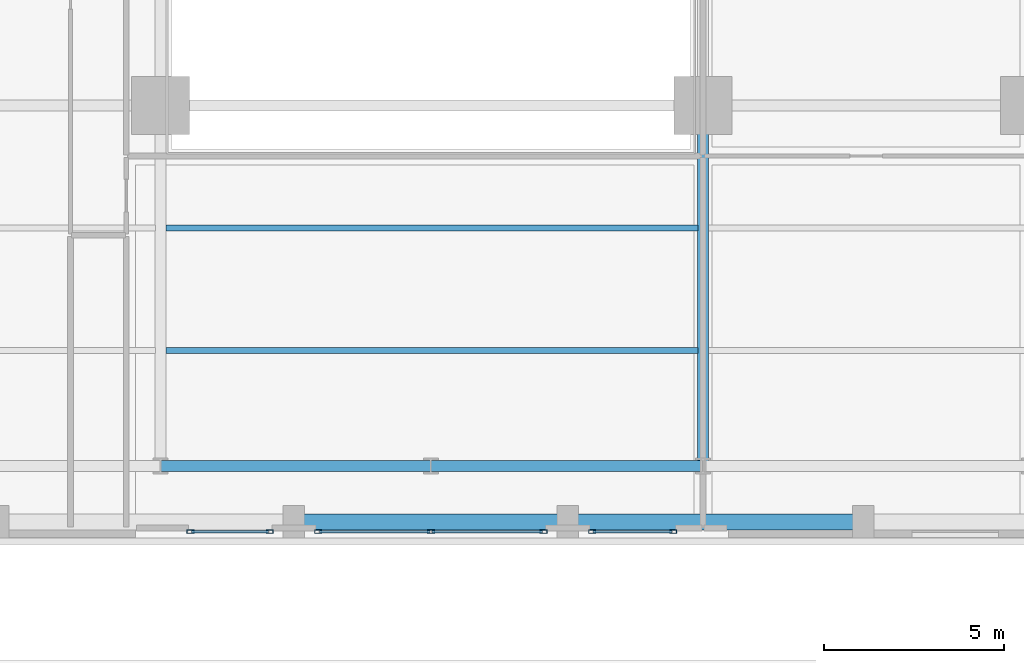
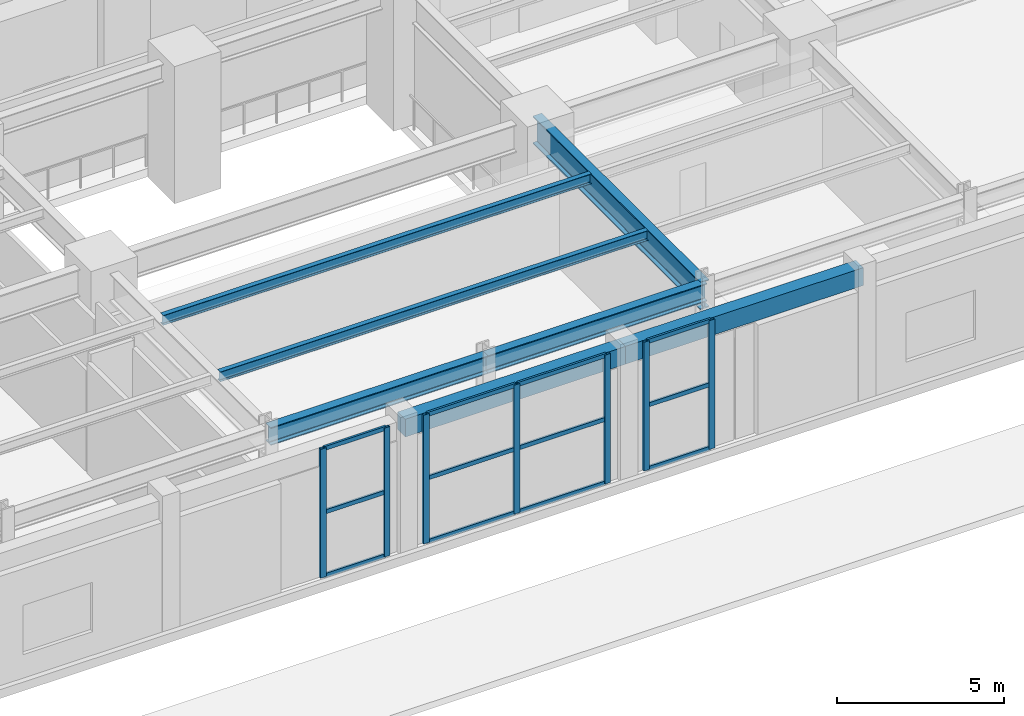
# One storey, part 2 of 12: 19 members, 7 beams, 3 elements without a shape of their own.
"""IFC4 building model written with IfcOpenShell, lengths in metres."""

import ifcopenshell
import ifcopenshell.guid

model = None  # the IFC model being written
_history = None  # IfcOwnerHistory: only IFC2X3 demands one
_inside = {}  # id of a spatial element -> (the spatial element, [elements in it])
_under = {}  # id of a project, library or spatial element -> (it, [spatial elements below it])
_declared = {}  # id of a project -> (the project, [libraries it declares])
_typed = {}  # id of a type object -> (the type object, [elements of that type])
_made_of = {}  # id of a material, layer set ... -> (it, [elements and type objects made of it])


def new_model(schema):
    """Start an empty IFC model of exactly this schema.

    Asked for "IFC4X3", IfcOpenShell would pick the latest addendum, in which some entities
    have other attributes; the version numbers below select the first issue.
    IFC2X3 requires an IfcOwnerHistory on every rooted entity: one is made here for all.
    """
    global model, _history
    if schema == "IFC4X3":
        model = ifcopenshell.file(schema_version=(4, 3, 0, 0))
    else:
        model = ifcopenshell.file(schema=schema)
    _inside.clear()
    _under.clear()
    _declared.clear()
    _typed.clear()
    _made_of.clear()
    _history = None
    if model.schema == "IFC2X3":
        org = make("IfcOrganization", Name="unknown")
        user = make(
            "IfcPersonAndOrganization",
            ThePerson=make("IfcPerson", FamilyName="unknown"),
            TheOrganization=org,
        )
        app = make(
            "IfcApplication",
            ApplicationDeveloper=org,
            Version="unknown",
            ApplicationFullName="unknown",
            ApplicationIdentifier="unknown",
        )
        _history = make(
            "IfcOwnerHistory",
            OwningUser=user,
            OwningApplication=app,
            ChangeAction="ADDED",
            CreationDate=0,
        )
    return model


def make(cls, **values):
    """One entity of the class cls with the attributes given. An attribute that is None is left unset."""
    return model.create_entity(
        cls, **{name: value for name, value in values.items() if value is not None}
    )


def rooted(cls, **values):
    """An entity with a GlobalId (a new one), such as an element, a storey or a relation."""
    return make(cls, GlobalId=ifcopenshell.guid.new(), OwnerHistory=_history, **values)


def si_unit(unit_type, name, prefix=None):
    """IfcSIUnit, for example si_unit("LENGTHUNIT", "METRE", prefix="MILLI")."""
    return make("IfcSIUnit", UnitType=unit_type, Prefix=prefix, Name=name)


def assignment(units):
    """IfcUnitAssignment: the units of a project."""
    return None if units is None else make("IfcUnitAssignment", Units=units)


def point(xyz):
    """IfcCartesianPoint."""
    return None if xyz is None else make("IfcCartesianPoint", Coordinates=xyz)


def direction(xyz):
    """IfcDirection."""
    return None if xyz is None else make("IfcDirection", DirectionRatios=xyz)


def frame(location, z_axis=None, x_axis=None):
    """IfcAxis2Placement3D, a coordinate frame: its origin and axes. An axis left out is left unset."""
    return make(
        "IfcAxis2Placement3D",
        Location=point(location),
        Axis=direction(z_axis),
        RefDirection=direction(x_axis),
    )


def frame_2d(location, x_axis=None):
    """IfcAxis2Placement2D, a coordinate frame in the plane: its origin and x axis."""
    return make(
        "IfcAxis2Placement2D", Location=point(location), RefDirection=direction(x_axis)
    )


def origin():
    """The frame at (0, 0, 0) with its axes left unset."""
    return frame((0.0, 0.0, 0.0))


def origin_2d():
    """The frame at (0, 0) in the plane with its x axis left unset."""
    return frame_2d((0.0, 0.0))


def place(relative_to, where):
    """IfcLocalPlacement: puts the frame where relative to a parent placement (None: the world)."""
    return make(
        "IfcLocalPlacement", PlacementRelTo=relative_to, RelativePlacement=where
    )


def context(
    kind, dimensions, precision=None, world=None, true_north=None, identifier=None
):
    """IfcGeometricRepresentationContext, for example the 3D "Model" context."""
    return make(
        "IfcGeometricRepresentationContext",
        ContextIdentifier=identifier,
        ContextType=kind,
        CoordinateSpaceDimension=dimensions,
        Precision=precision,
        WorldCoordinateSystem=world,
        TrueNorth=true_north,
    )


def subcontext(parent, identifier, kind, view, scale=None):
    """IfcGeometricRepresentationSubContext, for example "Body" below "Model"."""
    return make(
        "IfcGeometricRepresentationSubContext",
        ContextIdentifier=identifier,
        ContextType=kind,
        ParentContext=parent,
        TargetScale=scale,
        TargetView=view,
    )


def project(units=None, contexts=None):
    """IfcProject with its units and contexts."""
    return rooted(
        "IfcProject",
        Name="project",
        RepresentationContexts=contexts,
        UnitsInContext=assignment(units),
    )


def spatial(cls, under=None, at=None, **own):
    """A site, building, storey or space (cls), placed at a placement, below another one or the project."""
    s = rooted(cls, ObjectPlacement=at, **own)
    if under is not None:
        _under.setdefault(under.id(), (under, []))[1].append(s)
    return s


def profile(cls, at=None, kind="AREA", **sizes):
    """A parametric profile (cls). Its sizes go by their IFC names, for example OverallWidth=200.0."""
    return make(cls, ProfileType=kind, Position=at, **sizes)


def rectangle(**sizes):
    """IfcRectangleProfileDef."""
    return profile("IfcRectangleProfileDef", **sizes)


def hollow_rectangle(**sizes):
    """IfcRectangleHollowProfileDef."""
    return profile("IfcRectangleHollowProfileDef", **sizes)


def i_section(**sizes):
    """IfcIShapeProfileDef."""
    return profile("IfcIShapeProfileDef", **sizes)


def extrude(swept, where, along, depth):
    """IfcExtrudedAreaSolid: the profile swept, set in the frame where, extruded along a direction by depth."""
    return make(
        "IfcExtrudedAreaSolid",
        SweptArea=swept,
        Position=where,
        ExtrudedDirection=direction(along),
        Depth=depth,
    )


def shape(context_of_items, identifier, shape_type, items):
    """IfcShapeRepresentation: the items that make up one representation, for example the "Body"."""
    return make(
        "IfcShapeRepresentation",
        ContextOfItems=context_of_items,
        RepresentationIdentifier=identifier,
        RepresentationType=shape_type,
        Items=items,
    )


def material(Name=None, Category=None):
    """IfcMaterial."""
    return make("IfcMaterial", Name=Name, Category=Category)


def layer(
    of_material, thickness, ventilated=None, Name=None, Category=None, Priority=None
):
    """IfcMaterialLayer: one layer of a wall or slab, of a material (None: an air gap)."""
    return make(
        "IfcMaterialLayer",
        Material=of_material,
        LayerThickness=thickness,
        IsVentilated=ventilated,
        Name=Name,
        Category=Category,
        Priority=Priority,
    )


def layer_set(layers, Name=None):
    """IfcMaterialLayerSet."""
    return make("IfcMaterialLayerSet", MaterialLayers=layers, LayerSetName=Name)


def material_profile(
    of_material, cross_section, Name=None, Category=None, Priority=None
):
    """IfcMaterialProfile: a cross section and its material."""
    return make(
        "IfcMaterialProfile",
        Name=Name,
        Material=of_material,
        Profile=cross_section,
        Priority=Priority,
        Category=Category,
    )


def profile_set(profiles, Name=None, composite=None):
    """IfcMaterialProfileSet."""
    return make(
        "IfcMaterialProfileSet",
        Name=Name,
        MaterialProfiles=profiles,
        CompositeProfile=composite,
    )


def made_of(thing, what):
    """Note that an element or type object is made of a material, layer set ...; save() writes the relation."""
    if what is not None:
        _made_of.setdefault(what.id(), (what, []))[1].append(thing)
    return thing


def type_object(cls, material=None, **own):
    """A type object (cls), such as IfcWallType, which elements share."""
    return made_of(rooted(cls, **own), material)


def element(
    cls,
    number,
    at=None,
    inside=None,
    cuts=None,
    type_object=None,
    material=None,
    context=None,
    identifier="Body",
    shape_type=None,
    held_by="IfcProductDefinitionShape",
    body=None,
    shapes=None,
    **own,
):
    """One element of the class cls, such as IfcWall. Its Tag is "e" and its number.

    at: its placement. inside: the storey or other place that contains it. cuts: it is an
    opening in that element (IfcRelVoidsElement). A single representation is given by context,
    identifier, shape_type and body (its items); several are given by shapes. held_by: the class
    of the entity that holds the representations. save() writes the other relations.
    """
    e = rooted(cls, Tag="e%d" % number, ObjectPlacement=at, **own)
    if body is not None:
        shapes = [shape(context, identifier, shape_type, body)]
    if shapes is not None:
        e.Representation = make(held_by, Representations=shapes)
    if inside is not None:
        _inside.setdefault(inside.id(), (inside, []))[1].append(e)
    if cuts is not None:
        rooted(
            "IfcRelVoidsElement", RelatingBuildingElement=cuts, RelatedOpeningElement=e
        )
    if type_object is not None:
        _typed.setdefault(type_object.id(), (type_object, []))[1].append(e)
    return made_of(e, material)


def aggregate(whole, parts):
    """IfcRelAggregates: a whole, such as a stair, and the parts it consists of."""
    return rooted("IfcRelAggregates", RelatingObject=whole, RelatedObjects=parts)


def save(model, path):
    """Write the relations noted so far, then the file.

    IfcRelAggregates (storeys below a building ...), IfcRelContainedInSpatialStructure (elements
    in a storey), IfcRelDefinesByType, IfcRelAssociatesMaterial and IfcRelDeclares: one each for
    every whole, place, type object, material and project.
    """
    for whole, parts in _under.values():
        aggregate(whole, parts)
    for where, things in _inside.values():
        rooted(
            "IfcRelContainedInSpatialStructure",
            RelatedElements=things,
            RelatingStructure=where,
        )
    for kind, things in _typed.values():
        rooted("IfcRelDefinesByType", RelatedObjects=things, RelatingType=kind)
    for what, things in _made_of.values():
        rooted("IfcRelAssociatesMaterial", RelatedObjects=things, RelatingMaterial=what)
    for by, libraries in _declared.values():
        rooted("IfcRelDeclares", RelatingContext=by, RelatedDefinitions=libraries)
    model.write(path)


model = new_model("IFC4")

# Units and contexts
model_context = context("Model", 3, precision=1e-05, world=origin(), true_north=direction((0.0, 1.0)))
body_context = subcontext(model_context, "Body", "Model", "MODEL_VIEW")
ifc_project = project(units=[si_unit("LENGTHUNIT", "METRE"), si_unit("AREAUNIT", "SQUARE_METRE"), si_unit("VOLUMEUNIT", "CUBIC_METRE"), si_unit("PLANEANGLEUNIT", "RADIAN"), si_unit("MASSUNIT", "GRAM", prefix="KILO")], contexts=[model_context])

# Site, building, storey
site_placement = place(None, origin())
site = spatial("IfcSite", under=ifc_project, at=site_placement, CompositionType="ELEMENT")
building_placement = place(site_placement, origin())
building = spatial("IfcBuilding", under=site, at=building_placement, Name="Zarnavel Station Tower", CompositionType="ELEMENT")
storey_placement = place(building_placement, frame((0.0, 0.0, 5.39990234375)))
storey = spatial("IfcBuildingStorey", under=building, at=storey_placement, Name="L02", CompositionType="ELEMENT", Elevation=5.39990234375)

# Curtain wall, members
ifc_material_1 = material(Name="Aluminium Dark Anodised and Solar-Control Glass", Category="aluminium")
ifc_layer = layer(ifc_material_1, 0.179931640625)
ifc_layer_set = layer_set([ifc_layer], Name="CWS1")
curtain_wall_type = type_object("IfcCurtainWallType", Name="CWS1", PredefinedType="NOTDEFINED", material=ifc_layer_set)
curtain_wall_1_placement = place(storey_placement, origin())
curtain_wall_1 = element("IfcCurtainWall", 1, at=curtain_wall_1_placement, inside=storey, type_object=curtain_wall_type, Name="L02 Curtain Wall CWS1-L02-S-S1", PredefinedType="NOTDEFINED")
ifc_material_2 = material(Name="Steel S355J2 (Black Fluoropolymer Coated)", Category="steel")
ifc_material_profile_1 = material_profile(ifc_material_2, hollow_rectangle(XDim=0.10009765625, YDim=0.199951171875, WallThickness=0.008056640625, at=origin_2d()), Name="RHS200x100x8")
ifc_profile_set_1 = profile_set([ifc_material_profile_1], Name="Steel S355J2 (Black Fluoropolymer Coated)")
member_type_1 = type_object("IfcMemberType", Name="CWS1_MUL", PredefinedType="MULLION", material=ifc_profile_set_1)
member_1_placement = place(storey_placement, frame((22.1298828125, 3.780029296875, 0.0), z_axis=(0.0, 0.0, 1.0), x_axis=(0.0, 1.0, 0.0)))
member_1 = element("IfcMember", 2, at=member_1_placement, type_object=member_type_1, Name="CW1 mullion 1", PredefinedType="MULLION", context=body_context, shape_type="SweptSolid", body=[
    extrude(hollow_rectangle(XDim=0.10009765625, YDim=0.199951171875, WallThickness=0.008056640625, at=origin_2d()), origin(), (0.0, 0.0, 1.0), 4.7001953125),
])
member_2_placement = place(storey_placement, frame((24.325927734375, 3.780029296875, 0.0), z_axis=(0.0, 0.0, 1.0), x_axis=(0.0, 1.0, 0.0)))
member_2 = element("IfcMember", 3, at=member_2_placement, type_object=member_type_1, Name="CW1 mullion 2", PredefinedType="MULLION", context=body_context, shape_type="SweptSolid", body=[
    extrude(hollow_rectangle(XDim=0.10009765625, YDim=0.199951171875, WallThickness=0.008056640625, at=origin_2d()), origin(), (0.0, 0.0, 1.0), 4.7001953125),
])

curtain_wall_2_placement = place(storey_placement, origin())
curtain_wall_2 = element("IfcCurtainWall", 4, at=curtain_wall_2_placement, inside=storey, type_object=curtain_wall_type, Name="L02 Curtain Wall CWS1-L02-S-S2", PredefinedType="NOTDEFINED")
member_3_placement = place(storey_placement, frame((25.674072265625, 3.780029296875, 0.0), z_axis=(0.0, 0.0, 1.0), x_axis=(0.0, 1.0, 0.0)))
member_3 = element("IfcMember", 5, at=member_3_placement, type_object=member_type_1, Name="CW1 mullion 1", PredefinedType="MULLION", context=body_context, shape_type="SweptSolid", body=[
    extrude(hollow_rectangle(XDim=0.10009765625, YDim=0.199951171875, WallThickness=0.008056640625, at=origin_2d()), origin(), (0.0, 0.0, 1.0), 4.7001953125),
])
member_4_placement = place(storey_placement, frame((28.800048828125, 3.780029296875, 0.0), z_axis=(0.0, 0.0, 1.0), x_axis=(0.0, 1.0, 0.0)))
member_4 = element("IfcMember", 6, at=member_4_placement, type_object=member_type_1, Name="CW1 mullion 2", PredefinedType="MULLION", context=body_context, shape_type="SweptSolid", body=[
    extrude(hollow_rectangle(XDim=0.10009765625, YDim=0.199951171875, WallThickness=0.008056640625, at=origin_2d()), origin(), (0.0, 0.0, 1.0), 4.7001953125),
])
member_5_placement = place(storey_placement, frame((31.926025390625, 3.780029296875, 0.0), z_axis=(0.0, 0.0, 1.0), x_axis=(0.0, 1.0, 0.0)))
member_5 = element("IfcMember", 7, at=member_5_placement, type_object=member_type_1, Name="CW1 mullion 3", PredefinedType="MULLION", context=body_context, shape_type="SweptSolid", body=[
    extrude(hollow_rectangle(XDim=0.10009765625, YDim=0.199951171875, WallThickness=0.008056640625, at=origin_2d()), origin(), (0.0, 0.0, 1.0), 4.7001953125),
])

curtain_wall_3_placement = place(storey_placement, origin())
curtain_wall_3 = element("IfcCurtainWall", 8, at=curtain_wall_3_placement, inside=storey, type_object=curtain_wall_type, Name="L02 Curtain Wall CWS1-L02-S-S3", PredefinedType="NOTDEFINED")
member_6_placement = place(storey_placement, frame((33.27392578125, 3.780029296875, 0.0), z_axis=(0.0, 0.0, 1.0), x_axis=(0.0, 1.0, 0.0)))
member_6 = element("IfcMember", 9, at=member_6_placement, type_object=member_type_1, Name="CW1 mullion 1", PredefinedType="MULLION", context=body_context, shape_type="SweptSolid", body=[
    extrude(hollow_rectangle(XDim=0.10009765625, YDim=0.199951171875, WallThickness=0.008056640625, at=origin_2d()), origin(), (0.0, 0.0, 1.0), 4.7001953125),
])
member_7_placement = place(storey_placement, frame((35.52001953125, 3.780029296875, 0.0), z_axis=(0.0, 0.0, 1.0), x_axis=(0.0, 1.0, 0.0)))
member_7 = element("IfcMember", 10, at=member_7_placement, type_object=member_type_1, Name="CW1 mullion 2", PredefinedType="MULLION", context=body_context, shape_type="SweptSolid", body=[
    extrude(hollow_rectangle(XDim=0.10009765625, YDim=0.199951171875, WallThickness=0.008056640625, at=origin_2d()), origin(), (0.0, 0.0, 1.0), 4.7001953125),
])

# Member
ifc_material_3 = material(Name="Steel S355J2 (Black Fluoropolymer Coated)", Category="steel")
ifc_material_profile_2 = material_profile(ifc_material_3, hollow_rectangle(XDim=0.074951171875, YDim=0.14990234375, WallThickness=0.00634765625, at=origin_2d()), Name="RHS150x75x6.3")
ifc_profile_set_2 = profile_set([ifc_material_profile_2], Name="Steel S355J2 (Black Fluoropolymer Coated)")
member_type_2 = type_object("IfcMemberType", Name="CWS1_TRN", PredefinedType="USERDEFINED", material=ifc_profile_set_2)
member_8_placement = place(storey_placement, frame((22.159912109375, 3.780029296875, 0.030029296875), z_axis=(1.0, 0.0, 0.0), x_axis=(0.0, 1.0, 0.0)))
member_8 = element("IfcMember", 11, at=member_8_placement, type_object=member_type_2, Name="CW1 transom 1.1", ObjectType="TRANSOM", PredefinedType="USERDEFINED", context=body_context, shape_type="SweptSolid", body=[
    extrude(hollow_rectangle(XDim=0.074951171875, YDim=0.14990234375, WallThickness=0.00634765625, at=origin_2d()), origin(), (0.0, 0.0, 1.0), 2.135986328125),
])

member_9_placement = place(storey_placement, frame((22.159912109375, 3.780029296875, 2.35009765625), z_axis=(1.0, 0.0, 0.0), x_axis=(0.0, 1.0, 0.0)))
member_9 = element("IfcMember", 12, at=member_9_placement, type_object=member_type_2, Name="CW1 transom 1.2", ObjectType="TRANSOM", PredefinedType="USERDEFINED", context=body_context, shape_type="SweptSolid", body=[
    extrude(hollow_rectangle(XDim=0.074951171875, YDim=0.14990234375, WallThickness=0.00634765625, at=origin_2d()), origin(), (0.0, 0.0, 1.0), 2.135986328125),
])

member_10_placement = place(storey_placement, frame((22.159912109375, 3.780029296875, 4.670166015625), z_axis=(1.0, 0.0, 0.0), x_axis=(0.0, 1.0, 0.0)))
member_10 = element("IfcMember", 13, at=member_10_placement, type_object=member_type_2, Name="CW1 transom 1.3", ObjectType="TRANSOM", PredefinedType="USERDEFINED", context=body_context, shape_type="SweptSolid", body=[
    extrude(hollow_rectangle(XDim=0.074951171875, YDim=0.14990234375, WallThickness=0.00634765625, at=origin_2d()), origin(), (0.0, 0.0, 1.0), 2.135986328125),
])

aggregate(curtain_wall_1, [member_1, member_2, member_8, member_9, member_10])

member_11_placement = place(storey_placement, frame((25.7041015625, 3.780029296875, 0.030029296875), z_axis=(1.0, 0.0, 0.0), x_axis=(0.0, 1.0, 0.0)))
member_11 = element("IfcMember", 14, at=member_11_placement, type_object=member_type_2, Name="CW1 transom 1.1", ObjectType="TRANSOM", PredefinedType="USERDEFINED", context=body_context, shape_type="SweptSolid", body=[
    extrude(hollow_rectangle(XDim=0.074951171875, YDim=0.14990234375, WallThickness=0.00634765625, at=origin_2d()), origin(), (0.0, 0.0, 1.0), 3.06591796875),
])

member_12_placement = place(storey_placement, frame((25.7041015625, 3.780029296875, 2.35009765625), z_axis=(1.0, 0.0, 0.0), x_axis=(0.0, 1.0, 0.0)))
member_12 = element("IfcMember", 15, at=member_12_placement, type_object=member_type_2, Name="CW1 transom 1.2", ObjectType="TRANSOM", PredefinedType="USERDEFINED", context=body_context, shape_type="SweptSolid", body=[
    extrude(hollow_rectangle(XDim=0.074951171875, YDim=0.14990234375, WallThickness=0.00634765625, at=origin_2d()), origin(), (0.0, 0.0, 1.0), 3.06591796875),
])

member_13_placement = place(storey_placement, frame((25.7041015625, 3.780029296875, 4.670166015625), z_axis=(1.0, 0.0, 0.0), x_axis=(0.0, 1.0, 0.0)))
member_13 = element("IfcMember", 16, at=member_13_placement, type_object=member_type_2, Name="CW1 transom 1.3", ObjectType="TRANSOM", PredefinedType="USERDEFINED", context=body_context, shape_type="SweptSolid", body=[
    extrude(hollow_rectangle(XDim=0.074951171875, YDim=0.14990234375, WallThickness=0.00634765625, at=origin_2d()), origin(), (0.0, 0.0, 1.0), 3.06591796875),
])

member_14_placement = place(storey_placement, frame((28.830078125, 3.780029296875, 0.030029296875), z_axis=(1.0, 0.0, 0.0), x_axis=(0.0, 1.0, 0.0)))
member_14 = element("IfcMember", 17, at=member_14_placement, type_object=member_type_2, Name="CW1 transom 2.1", ObjectType="TRANSOM", PredefinedType="USERDEFINED", context=body_context, shape_type="SweptSolid", body=[
    extrude(hollow_rectangle(XDim=0.074951171875, YDim=0.14990234375, WallThickness=0.00634765625, at=origin_2d()), origin(), (0.0, 0.0, 1.0), 3.06591796875),
])

member_15_placement = place(storey_placement, frame((28.830078125, 3.780029296875, 2.35009765625), z_axis=(1.0, 0.0, 0.0), x_axis=(0.0, 1.0, 0.0)))
member_15 = element("IfcMember", 18, at=member_15_placement, type_object=member_type_2, Name="CW1 transom 2.2", ObjectType="TRANSOM", PredefinedType="USERDEFINED", context=body_context, shape_type="SweptSolid", body=[
    extrude(hollow_rectangle(XDim=0.074951171875, YDim=0.14990234375, WallThickness=0.00634765625, at=origin_2d()), origin(), (0.0, 0.0, 1.0), 3.06591796875),
])

member_16_placement = place(storey_placement, frame((28.830078125, 3.780029296875, 4.670166015625), z_axis=(1.0, 0.0, 0.0), x_axis=(0.0, 1.0, 0.0)))
member_16 = element("IfcMember", 19, at=member_16_placement, type_object=member_type_2, Name="CW1 transom 2.3", ObjectType="TRANSOM", PredefinedType="USERDEFINED", context=body_context, shape_type="SweptSolid", body=[
    extrude(hollow_rectangle(XDim=0.074951171875, YDim=0.14990234375, WallThickness=0.00634765625, at=origin_2d()), origin(), (0.0, 0.0, 1.0), 3.06591796875),
])

aggregate(curtain_wall_2, [member_3, member_4, member_5, member_11, member_12, member_13, member_14, member_15, member_16])

member_17_placement = place(storey_placement, frame((33.303955078125, 3.780029296875, 0.030029296875), z_axis=(1.0, 0.0, 0.0), x_axis=(0.0, 1.0, 0.0)))
member_17 = element("IfcMember", 20, at=member_17_placement, type_object=member_type_2, Name="CW1 transom 1.1", ObjectType="TRANSOM", PredefinedType="USERDEFINED", context=body_context, shape_type="SweptSolid", body=[
    extrude(hollow_rectangle(XDim=0.074951171875, YDim=0.14990234375, WallThickness=0.00634765625, at=origin_2d()), origin(), (0.0, 0.0, 1.0), 2.18603515625),
])

member_18_placement = place(storey_placement, frame((33.303955078125, 3.780029296875, 2.35009765625), z_axis=(1.0, 0.0, 0.0), x_axis=(0.0, 1.0, 0.0)))
member_18 = element("IfcMember", 21, at=member_18_placement, type_object=member_type_2, Name="CW1 transom 1.2", ObjectType="TRANSOM", PredefinedType="USERDEFINED", context=body_context, shape_type="SweptSolid", body=[
    extrude(hollow_rectangle(XDim=0.074951171875, YDim=0.14990234375, WallThickness=0.00634765625, at=origin_2d()), origin(), (0.0, 0.0, 1.0), 2.18603515625),
])

member_19_placement = place(storey_placement, frame((33.303955078125, 3.780029296875, 4.670166015625), z_axis=(1.0, 0.0, 0.0), x_axis=(0.0, 1.0, 0.0)))
member_19 = element("IfcMember", 22, at=member_19_placement, type_object=member_type_2, Name="CW1 transom 1.3", ObjectType="TRANSOM", PredefinedType="USERDEFINED", context=body_context, shape_type="SweptSolid", body=[
    extrude(hollow_rectangle(XDim=0.074951171875, YDim=0.14990234375, WallThickness=0.00634765625, at=origin_2d()), origin(), (0.0, 0.0, 1.0), 2.18603515625),
])

aggregate(curtain_wall_3, [member_6, member_7, member_17, member_18, member_19])

# Beams
ifc_material_4 = material(Name="Steel S355J2", Category="steel")
ifc_material_profile_3 = material_profile(ifc_material_4, i_section(OverallWidth=0.300048828125, OverallDepth=0.64990234375, WebThickness=0.01611328125, FlangeThickness=0.031005859375, FilletRadius=0.027099609375, at=origin_2d()), Name="HEB650")
ifc_profile_set_3 = profile_set([ifc_material_profile_3], Name="Steel S355J2")
beam_type_1 = type_object("IfcBeamType", Name="FG_HEB650", PredefinedType="USERDEFINED", material=ifc_profile_set_3)
beam_1_placement = place(storey_placement, frame((21.300048828125, 5.60009765625, 4.375), z_axis=(1.0, 0.0, 0.0), x_axis=(0.0, 1.0, 0.0)))
element("IfcBeam", 23, at=beam_1_placement, inside=storey, type_object=beam_type_1, Name="L02 EW Frame Girder 1-5", ObjectType="GIRDER", PredefinedType="USERDEFINED", context=body_context, shape_type="SweptSolid", body=[
    extrude(i_section(OverallWidth=0.300048828125, OverallDepth=0.64990234375, WebThickness=0.01611328125, FlangeThickness=0.031005859375, FilletRadius=0.027099609375, at=origin_2d()), origin(), (0.0, 0.0, 1.0), 7.5),
])
beam_2_placement = place(storey_placement, frame((28.800048828125, 5.60009765625, 4.375), z_axis=(1.0, 0.0, 0.0), x_axis=(0.0, 1.0, 0.0)))
element("IfcBeam", 24, at=beam_2_placement, inside=storey, type_object=beam_type_1, Name="L02 EW Frame Girder 1-6", ObjectType="GIRDER", PredefinedType="USERDEFINED", context=body_context, shape_type="SweptSolid", body=[
    extrude(i_section(OverallWidth=0.300048828125, OverallDepth=0.64990234375, WebThickness=0.01611328125, FlangeThickness=0.031005859375, FilletRadius=0.027099609375, at=origin_2d()), origin(), (0.0, 0.0, 1.0), 7.550048828125),
])
ifc_material_5 = material(Name="Steel S355J2", Category="steel")
ifc_material_profile_4 = material_profile(ifc_material_5, i_section(OverallWidth=0.169921875, OverallDepth=0.360107421875, WebThickness=0.008056640625, FlangeThickness=0.0126953125, FilletRadius=0.01806640625, at=origin_2d()), Name="IPE360")
ifc_profile_set_4 = profile_set([ifc_material_profile_4], Name="Steel S355J2")
beam_type_2 = type_object("IfcBeamType", Name="FJ_IPE360", PredefinedType="JOIST", material=ifc_profile_set_4)
for number, where, z_axis, x_axis, name in (
    (25, (21.445068359375, 8.800048828125, 4.52001953125), (1.0, 0.0, 0.0), (0.0, 1.0, 0.0), "L02 Floor Joist M1"),
    (26, (21.445068359375, 12.199951171875, 4.52001953125), (1.0, 0.0, 0.0), (0.0, 1.0, 0.0), "L02 Floor Joist M2"),
):
    element("IfcBeam", number, at=place(storey_placement, frame(where, z_axis=z_axis, x_axis=x_axis)), inside=storey, type_object=beam_type_2, Name=name, PredefinedType="JOIST", context=body_context, shape_type="SweptSolid", body=[
        extrude(i_section(OverallWidth=0.169921875, OverallDepth=0.360107421875, WebThickness=0.008056640625, FlangeThickness=0.0126953125, FilletRadius=0.01806640625, at=origin_2d()), origin(), (0.0, 0.0, 1.0), 14.760009765625),
    ])
ifc_material_6 = material(Name="Precast concrete C45/55", Category="concrete")
ifc_material_profile_5 = material_profile(ifc_material_6, rectangle(XDim=0.449951171875, YDim=0.64990234375, at=origin_2d()), Name="RC450x650")
ifc_profile_set_5 = profile_set([ifc_material_profile_5], Name="Precast concrete C45/55")
beam_type_3 = type_object("IfcBeamType", Name="LN_RC450x650", PredefinedType="LINTEL", material=ifc_profile_set_5)
beam_3_placement = place(storey_placement, frame((25.0, 4.050048828125, 4.375), z_axis=(1.0, 0.0, 0.0), x_axis=(0.0, 1.0, 0.0)))
element("IfcBeam", 27, at=beam_3_placement, inside=storey, type_object=beam_type_3, Name="L02 Portal Arcade Lintel 3", PredefinedType="LINTEL", context=body_context, shape_type="SweptSolid", body=[
    extrude(rectangle(XDim=0.449951171875, YDim=0.64990234375, at=origin_2d()), origin(), (0.0, 0.0, 1.0), 7.60009765625),
])
beam_4_placement = place(storey_placement, frame((32.60009765625, 4.050048828125, 4.375), z_axis=(1.0, 0.0, 0.0), x_axis=(0.0, 1.0, 0.0)))
element("IfcBeam", 28, at=beam_4_placement, inside=storey, type_object=beam_type_3, Name="L02 Portal Arcade Lintel 4", PredefinedType="LINTEL", context=body_context, shape_type="SweptSolid", body=[
    extrude(rectangle(XDim=0.449951171875, YDim=0.64990234375, at=origin_2d()), origin(), (0.0, 0.0, 1.0), 8.199951171875),
])
ifc_material_7 = material(Name="Steel S460M", Category="steel")
ifc_material_profile_6 = material_profile(ifc_material_7, i_section(OverallWidth=0.302001953125, OverallDepth=1.008056640625, WebThickness=0.02099609375, FlangeThickness=0.0400390625, FilletRadius=0.030029296875, at=origin_2d()), Name="HEM1000")
ifc_profile_set_6 = profile_set([ifc_material_profile_6], Name="Steel S460M")
beam_type_4 = type_object("IfcBeamType", Name="TG_HEM1000", PredefinedType="USERDEFINED", material=ifc_profile_set_6)
beam_5_placement = place(storey_placement, frame((36.35009765625, 5.60009765625, 4.196044921875), z_axis=(0.0, 1.0, 0.0), x_axis=(-1.0, 0.0, 0.0)))
element("IfcBeam", 29, at=beam_5_placement, inside=storey, type_object=beam_type_4, Name="L02 NS Girder South 3", ObjectType="GIRDER", PredefinedType="USERDEFINED", context=body_context, shape_type="SweptSolid", body=[
    extrude(i_section(OverallWidth=0.302001953125, OverallDepth=1.008056640625, WebThickness=0.02099609375, FlangeThickness=0.0400390625, FilletRadius=0.030029296875, at=origin_2d()), origin(), (0.0, 0.0, 1.0), 10.0),
])

save(model, "model.ifc")
